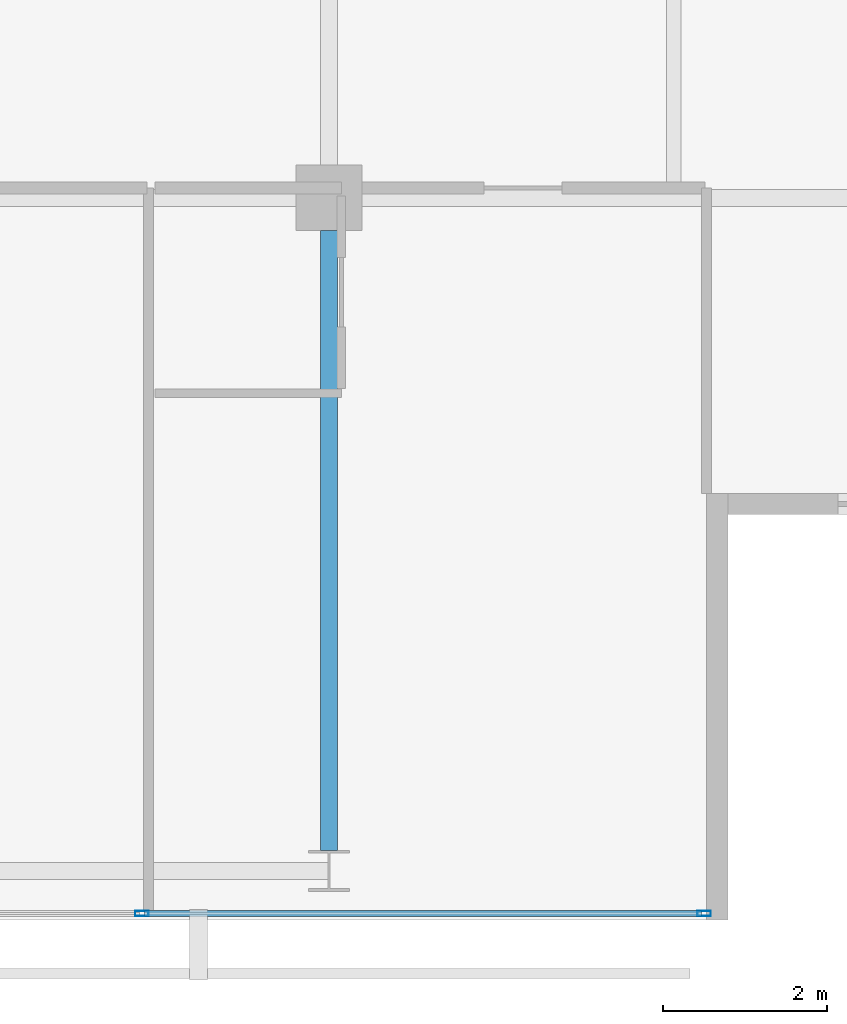
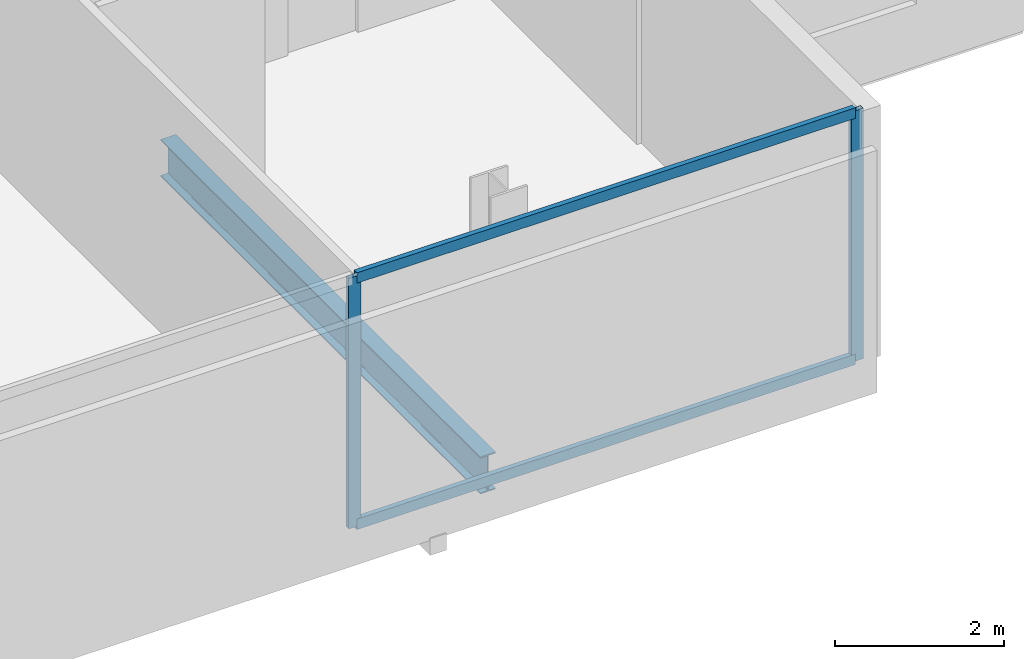
# One storey, part 10 of 26: 4 members, 1 beam, 1 element without a shape of its own.
"""IFC4 building model written with IfcOpenShell, lengths in metres."""

from ifc_helpers import new_model, si_unit, direction, frame, origin, origin_2d, place, context, subcontext, project, spatial, hollow_rectangle, i_section, extrude, material, layer, layer_set, material_profile, profile_set, type_object, element, aggregate, save


model = new_model("IFC4")

# Units and contexts
model_context = context("Model", 3, precision=1e-05, world=origin(), true_north=direction((0.0, 1.0)))
body_context = subcontext(model_context, "Body", "Model", "MODEL_VIEW")
ifc_project = project(units=[si_unit("LENGTHUNIT", "METRE"), si_unit("AREAUNIT", "SQUARE_METRE"), si_unit("VOLUMEUNIT", "CUBIC_METRE"), si_unit("PLANEANGLEUNIT", "RADIAN"), si_unit("MASSUNIT", "GRAM", prefix="KILO")], contexts=[model_context])

# Site, building, storey
site_placement = place(None, origin())
site = spatial("IfcSite", under=ifc_project, at=site_placement, CompositionType="ELEMENT")
building_placement = place(site_placement, origin())
building = spatial("IfcBuilding", under=site, at=building_placement, Name="Maruvema Waterfront Hotel and Observation Tower", CompositionType="ELEMENT")
storey_placement = place(building_placement, frame((0.0, 0.0, 266.35009765625)))
storey = spatial("IfcBuildingStorey", under=building, at=storey_placement, Name="L65", CompositionType="ELEMENT", Elevation=266.35009765625)

# Curtain wall, members
ifc_material_1 = material(Name="Anodised bronze aluminium and solar-control low-E IGU", Category="aluminium")
ifc_layer = layer(ifc_material_1, 0.159912109375, Name="Zone 3 Champagne Inner Thermal Curtain Wall System CW-04")
ifc_layer_set = layer_set([ifc_layer], Name="Anodised bronze aluminium and solar-control low-E IGU")
curtain_wall_type = type_object("IfcCurtainWallType", Name="Zone 3 Champagne Inner Thermal Curtain Wall System CW-04", PredefinedType="USERDEFINED", material=ifc_layer_set)
curtain_wall_placement = place(storey_placement, origin())
curtain_wall = element("IfcCurtainWall", 1, at=curtain_wall_placement, inside=storey, type_object=curtain_wall_type, Name="L65 Curtain Wall CW-L65-S", ObjectType="UNITISED CURTAIN WALL", PredefinedType="USERDEFINED")
ifc_material_2 = material(Name="Anodised architectural bronze aluminium", Category="aluminium")
ifc_material_profile_1 = material_profile(ifc_material_2, hollow_rectangle(XDim=0.070068359375, YDim=0.14990234375, WallThickness=0.00390625, at=origin_2d()), Name="ALU-T70x150")
ifc_profile_set_1 = profile_set([ifc_material_profile_1], Name="Anodised architectural bronze aluminium")
member_type_1 = type_object("IfcMemberType", Name="Curtain Wall Horizontal Transom ALU-T70x150", PredefinedType="USERDEFINED", material=ifc_profile_set_1)
member_1_placement = place(storey_placement, frame((48.14990234375, 9.280029296875, 0.02978515625), z_axis=(1.0, 0.0, 0.0), x_axis=(0.0, 1.0, 0.0)))
member_1 = element("IfcMember", 2, at=member_1_placement, type_object=member_type_1, Name="CW-04 transom 5.1", ObjectType="TRANSOM", PredefinedType="USERDEFINED", context=body_context, shape_type="SweptSolid", body=[
    extrude(hollow_rectangle(XDim=0.070068359375, YDim=0.14990234375, WallThickness=0.00390625, at=origin_2d()), origin(), (0.0, 0.0, 1.0), 6.7900390625),
])
member_2_placement = place(storey_placement, frame((48.14990234375, 9.280029296875, 3.579833984375), z_axis=(1.0, 0.0, 0.0), x_axis=(0.0, 1.0, 0.0)))
member_2 = element("IfcMember", 3, at=member_2_placement, type_object=member_type_1, Name="CW-04 transom 5.2", ObjectType="TRANSOM", PredefinedType="USERDEFINED", context=body_context, shape_type="SweptSolid", body=[
    extrude(hollow_rectangle(XDim=0.070068359375, YDim=0.14990234375, WallThickness=0.00390625, at=origin_2d()), origin(), (0.0, 0.0, 1.0), 6.7900390625),
])
ifc_material_3 = material(Name="Anodised architectural bronze aluminium", Category="aluminium")
ifc_material_profile_2 = material_profile(ifc_material_3, hollow_rectangle(XDim=0.06494140625, YDim=0.1650390625, WallThickness=0.00390625, at=origin_2d()), Name="ALU-M65x165")
ifc_profile_set_2 = profile_set([ifc_material_profile_2], Name="Anodised architectural bronze aluminium")
member_type_2 = type_object("IfcMemberType", Name="Curtain Wall Primary Mullion ALU-M65x165", PredefinedType="MULLION", material=ifc_profile_set_2)
member_3_placement = place(storey_placement, frame((48.1201171875, 9.280029296875, 0.0), z_axis=(0.0, 0.0, 1.0), x_axis=(0.0, 1.0, 0.0)))
member_3 = element("IfcMember", 4, at=member_3_placement, type_object=member_type_2, Name="CW-04 mullion 5", PredefinedType="MULLION", context=body_context, shape_type="SweptSolid", body=[
    extrude(hollow_rectangle(XDim=0.06494140625, YDim=0.1650390625, WallThickness=0.00390625, at=origin_2d()), origin(), (0.0, 0.0, 1.0), 3.60986328125),
])
member_4_placement = place(storey_placement, frame((54.969970703125, 9.280029296875, 0.0), z_axis=(0.0, 0.0, 1.0), x_axis=(0.0, 1.0, 0.0)))
member_4 = element("IfcMember", 5, at=member_4_placement, type_object=member_type_2, Name="CW-04 mullion 6", PredefinedType="MULLION", context=body_context, shape_type="SweptSolid", body=[
    extrude(hollow_rectangle(XDim=0.06494140625, YDim=0.1650390625, WallThickness=0.00390625, at=origin_2d()), origin(), (0.0, 0.0, 1.0), 3.60986328125),
])
aggregate(curtain_wall, [member_3, member_4, member_1, member_2])

# Beam
ifc_material_4 = material(Name="Steel ASTM A572 Grade 50", Category="steel")
ifc_material_profile_3 = material_profile(ifc_material_4, i_section(OverallWidth=0.208984375, OverallDepth=0.532958984375, WebThickness=0.01025390625, FlangeThickness=0.015625, FilletRadius=0.014892578125, at=origin_2d()), Name="W530x92.0")
ifc_profile_set_3 = profile_set([ifc_material_profile_3], Name="Steel ASTM A572 Grade 50")
beam_type = type_object("IfcBeamType", Name="Primary Floor Girder W530x92.0", PredefinedType="BEAM", material=ifc_profile_set_3)
beam_placement = place(storey_placement, frame((50.39990234375, 10.050048828125, -0.506591796875), z_axis=(0.0, 1.0, 0.0), x_axis=(-1.0, 0.0, 0.0)))
element("IfcBeam", 6, at=beam_placement, inside=storey, type_object=beam_type, Name="L65 Floor Girder NS-12", PredefinedType="BEAM", context=body_context, shape_type="SweptSolid", body=[
    extrude(i_section(OverallWidth=0.208984375, OverallDepth=0.532958984375, WebThickness=0.01025390625, FlangeThickness=0.015625, FilletRadius=0.014892578125, at=origin_2d()), origin(), (0.0, 0.0, 1.0), 7.550048828125),
])

save(model, "model.ifc")
